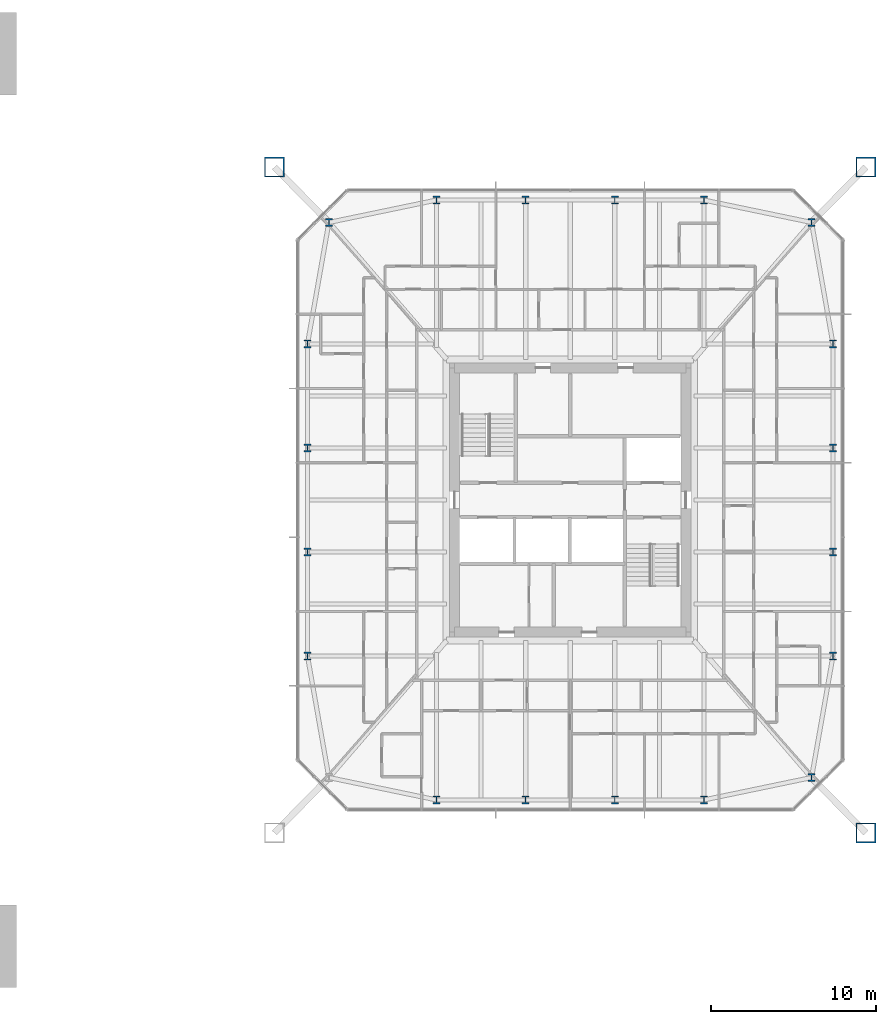
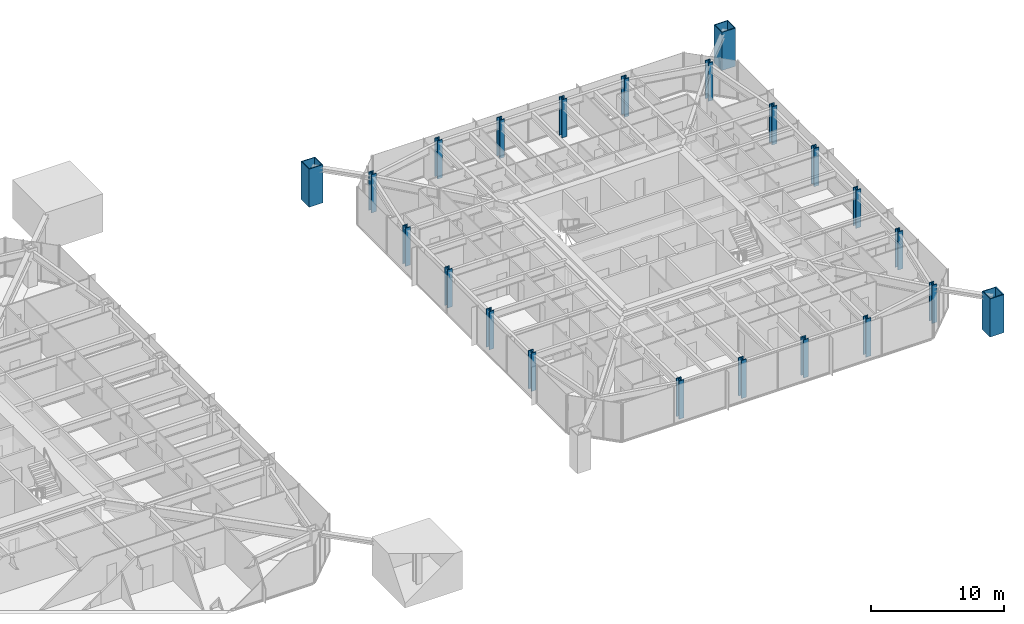
# One storey, part 2 of 26: 22 columns.
"""IFC4 building model written with IfcOpenShell, lengths in metres."""

import ifcopenshell
import ifcopenshell.guid

model = None  # the IFC model being written
_history = None  # IfcOwnerHistory: only IFC2X3 demands one
_inside = {}  # id of a spatial element -> (the spatial element, [elements in it])
_under = {}  # id of a project, library or spatial element -> (it, [spatial elements below it])
_declared = {}  # id of a project -> (the project, [libraries it declares])
_typed = {}  # id of a type object -> (the type object, [elements of that type])
_made_of = {}  # id of a material, layer set ... -> (it, [elements and type objects made of it])


def new_model(schema):
    """Start an empty IFC model of exactly this schema.

    Asked for "IFC4X3", IfcOpenShell would pick the latest addendum, in which some entities
    have other attributes; the version numbers below select the first issue.
    IFC2X3 requires an IfcOwnerHistory on every rooted entity: one is made here for all.
    """
    global model, _history
    if schema == "IFC4X3":
        model = ifcopenshell.file(schema_version=(4, 3, 0, 0))
    else:
        model = ifcopenshell.file(schema=schema)
    _inside.clear()
    _under.clear()
    _declared.clear()
    _typed.clear()
    _made_of.clear()
    _history = None
    if model.schema == "IFC2X3":
        org = make("IfcOrganization", Name="unknown")
        user = make(
            "IfcPersonAndOrganization",
            ThePerson=make("IfcPerson", FamilyName="unknown"),
            TheOrganization=org,
        )
        app = make(
            "IfcApplication",
            ApplicationDeveloper=org,
            Version="unknown",
            ApplicationFullName="unknown",
            ApplicationIdentifier="unknown",
        )
        _history = make(
            "IfcOwnerHistory",
            OwningUser=user,
            OwningApplication=app,
            ChangeAction="ADDED",
            CreationDate=0,
        )
    return model


def make(cls, **values):
    """One entity of the class cls with the attributes given. An attribute that is None is left unset."""
    return model.create_entity(
        cls, **{name: value for name, value in values.items() if value is not None}
    )


def rooted(cls, **values):
    """An entity with a GlobalId (a new one), such as an element, a storey or a relation."""
    return make(cls, GlobalId=ifcopenshell.guid.new(), OwnerHistory=_history, **values)


def si_unit(unit_type, name, prefix=None):
    """IfcSIUnit, for example si_unit("LENGTHUNIT", "METRE", prefix="MILLI")."""
    return make("IfcSIUnit", UnitType=unit_type, Prefix=prefix, Name=name)


def assignment(units):
    """IfcUnitAssignment: the units of a project."""
    return None if units is None else make("IfcUnitAssignment", Units=units)


def point(xyz):
    """IfcCartesianPoint."""
    return None if xyz is None else make("IfcCartesianPoint", Coordinates=xyz)


def direction(xyz):
    """IfcDirection."""
    return None if xyz is None else make("IfcDirection", DirectionRatios=xyz)


def frame(location, z_axis=None, x_axis=None):
    """IfcAxis2Placement3D, a coordinate frame: its origin and axes. An axis left out is left unset."""
    return make(
        "IfcAxis2Placement3D",
        Location=point(location),
        Axis=direction(z_axis),
        RefDirection=direction(x_axis),
    )


def frame_2d(location, x_axis=None):
    """IfcAxis2Placement2D, a coordinate frame in the plane: its origin and x axis."""
    return make(
        "IfcAxis2Placement2D", Location=point(location), RefDirection=direction(x_axis)
    )


def origin():
    """The frame at (0, 0, 0) with its axes left unset."""
    return frame((0.0, 0.0, 0.0))


def origin_2d():
    """The frame at (0, 0) in the plane with its x axis left unset."""
    return frame_2d((0.0, 0.0))


def place(relative_to, where):
    """IfcLocalPlacement: puts the frame where relative to a parent placement (None: the world)."""
    return make(
        "IfcLocalPlacement", PlacementRelTo=relative_to, RelativePlacement=where
    )


def context(
    kind, dimensions, precision=None, world=None, true_north=None, identifier=None
):
    """IfcGeometricRepresentationContext, for example the 3D "Model" context."""
    return make(
        "IfcGeometricRepresentationContext",
        ContextIdentifier=identifier,
        ContextType=kind,
        CoordinateSpaceDimension=dimensions,
        Precision=precision,
        WorldCoordinateSystem=world,
        TrueNorth=true_north,
    )


def subcontext(parent, identifier, kind, view, scale=None):
    """IfcGeometricRepresentationSubContext, for example "Body" below "Model"."""
    return make(
        "IfcGeometricRepresentationSubContext",
        ContextIdentifier=identifier,
        ContextType=kind,
        ParentContext=parent,
        TargetScale=scale,
        TargetView=view,
    )


def project(units=None, contexts=None):
    """IfcProject with its units and contexts."""
    return rooted(
        "IfcProject",
        Name="project",
        RepresentationContexts=contexts,
        UnitsInContext=assignment(units),
    )


def spatial(cls, under=None, at=None, **own):
    """A site, building, storey or space (cls), placed at a placement, below another one or the project."""
    s = rooted(cls, ObjectPlacement=at, **own)
    if under is not None:
        _under.setdefault(under.id(), (under, []))[1].append(s)
    return s


def profile(cls, at=None, kind="AREA", **sizes):
    """A parametric profile (cls). Its sizes go by their IFC names, for example OverallWidth=200.0."""
    return make(cls, ProfileType=kind, Position=at, **sizes)


def hollow_rectangle(**sizes):
    """IfcRectangleHollowProfileDef."""
    return profile("IfcRectangleHollowProfileDef", **sizes)


def i_section(**sizes):
    """IfcIShapeProfileDef."""
    return profile("IfcIShapeProfileDef", **sizes)


def extrude(swept, where, along, depth):
    """IfcExtrudedAreaSolid: the profile swept, set in the frame where, extruded along a direction by depth."""
    return make(
        "IfcExtrudedAreaSolid",
        SweptArea=swept,
        Position=where,
        ExtrudedDirection=direction(along),
        Depth=depth,
    )


def shape(context_of_items, identifier, shape_type, items):
    """IfcShapeRepresentation: the items that make up one representation, for example the "Body"."""
    return make(
        "IfcShapeRepresentation",
        ContextOfItems=context_of_items,
        RepresentationIdentifier=identifier,
        RepresentationType=shape_type,
        Items=items,
    )


def material(Name=None, Category=None):
    """IfcMaterial."""
    return make("IfcMaterial", Name=Name, Category=Category)


def material_profile(
    of_material, cross_section, Name=None, Category=None, Priority=None
):
    """IfcMaterialProfile: a cross section and its material."""
    return make(
        "IfcMaterialProfile",
        Name=Name,
        Material=of_material,
        Profile=cross_section,
        Priority=Priority,
        Category=Category,
    )


def profile_set(profiles, Name=None, composite=None):
    """IfcMaterialProfileSet."""
    return make(
        "IfcMaterialProfileSet",
        Name=Name,
        MaterialProfiles=profiles,
        CompositeProfile=composite,
    )


def made_of(thing, what):
    """Note that an element or type object is made of a material, layer set ...; save() writes the relation."""
    if what is not None:
        _made_of.setdefault(what.id(), (what, []))[1].append(thing)
    return thing


def type_object(cls, material=None, **own):
    """A type object (cls), such as IfcWallType, which elements share."""
    return made_of(rooted(cls, **own), material)


def element(
    cls,
    number,
    at=None,
    inside=None,
    cuts=None,
    type_object=None,
    material=None,
    context=None,
    identifier="Body",
    shape_type=None,
    held_by="IfcProductDefinitionShape",
    body=None,
    shapes=None,
    **own,
):
    """One element of the class cls, such as IfcWall. Its Tag is "e" and its number.

    at: its placement. inside: the storey or other place that contains it. cuts: it is an
    opening in that element (IfcRelVoidsElement). A single representation is given by context,
    identifier, shape_type and body (its items); several are given by shapes. held_by: the class
    of the entity that holds the representations. save() writes the other relations.
    """
    e = rooted(cls, Tag="e%d" % number, ObjectPlacement=at, **own)
    if body is not None:
        shapes = [shape(context, identifier, shape_type, body)]
    if shapes is not None:
        e.Representation = make(held_by, Representations=shapes)
    if inside is not None:
        _inside.setdefault(inside.id(), (inside, []))[1].append(e)
    if cuts is not None:
        rooted(
            "IfcRelVoidsElement", RelatingBuildingElement=cuts, RelatedOpeningElement=e
        )
    if type_object is not None:
        _typed.setdefault(type_object.id(), (type_object, []))[1].append(e)
    return made_of(e, material)


def aggregate(whole, parts):
    """IfcRelAggregates: a whole, such as a stair, and the parts it consists of."""
    return rooted("IfcRelAggregates", RelatingObject=whole, RelatedObjects=parts)


def save(model, path):
    """Write the relations noted so far, then the file.

    IfcRelAggregates (storeys below a building ...), IfcRelContainedInSpatialStructure (elements
    in a storey), IfcRelDefinesByType, IfcRelAssociatesMaterial and IfcRelDeclares: one each for
    every whole, place, type object, material and project.
    """
    for whole, parts in _under.values():
        aggregate(whole, parts)
    for where, things in _inside.values():
        rooted(
            "IfcRelContainedInSpatialStructure",
            RelatedElements=things,
            RelatingStructure=where,
        )
    for kind, things in _typed.values():
        rooted("IfcRelDefinesByType", RelatedObjects=things, RelatingType=kind)
    for what, things in _made_of.values():
        rooted("IfcRelAssociatesMaterial", RelatedObjects=things, RelatingMaterial=what)
    for by, libraries in _declared.values():
        rooted("IfcRelDeclares", RelatingContext=by, RelatedDefinitions=libraries)
    model.write(path)


model = new_model("IFC4")

# Units and contexts
model_context = context("Model", 3, precision=1e-05, world=origin(), true_north=direction((0.0, 1.0)))
body_context = subcontext(model_context, "Body", "Model", "MODEL_VIEW")
ifc_project = project(units=[si_unit("LENGTHUNIT", "METRE"), si_unit("AREAUNIT", "SQUARE_METRE"), si_unit("VOLUMEUNIT", "CUBIC_METRE"), si_unit("PLANEANGLEUNIT", "RADIAN"), si_unit("MASSUNIT", "GRAM", prefix="KILO")], contexts=[model_context])

# Site, building, storey
site_placement = place(None, origin())
site = spatial("IfcSite", under=ifc_project, at=site_placement, CompositionType="ELEMENT")
building_placement = place(site_placement, origin())
building = spatial("IfcBuilding", under=site, at=building_placement, Name="Iwan Alto Co-Living Towers", CompositionType="ELEMENT")
storey_placement = place(building_placement, frame((0.0, 0.0, 18.5)))
storey = spatial("IfcBuildingStorey", under=building, at=storey_placement, Name="L04", CompositionType="ELEMENT", Elevation=18.5)

# Columns
ifc_material_1 = material(Name="Steel ASTM A572 Gr 50", Category="steel")
ifc_material_profile_1 = material_profile(ifc_material_1, hollow_rectangle(XDim=1.199951171875, YDim=1.199951171875, WallThickness=0.070068359375, at=origin_2d()), Name="BOX 1200X1200X70")
ifc_profile_set_1 = profile_set([ifc_material_profile_1], Name="Steel ASTM A572 Gr 50")
column_type_1 = type_object("IfcColumnType", Name="T2 MEGA COLUMN BOX 1200X1200X70", PredefinedType="COLUMN", material=ifc_profile_set_1)
for number, where, z_axis, x_axis, name in (
    (1, (80.89990234375, -20.14990234375, 0.0), (0.0, 0.0, 1.0), (1.0, 0.0, 0.0), "T2 mega column SE L04"),
    (2, (80.89990234375, 20.14990234375, 0.0), (0.0, 0.0, 1.0), (1.0, 0.0, 0.0), "T2 mega column NE L04"),
    (3, (45.10009765625, 20.14990234375, 0.0), (0.0, 0.0, 1.0), (1.0, 0.0, 0.0), "T2 mega column NW L04"),
):
    element("IfcColumn", number, at=place(storey_placement, frame(where, z_axis=z_axis, x_axis=x_axis)), inside=storey, type_object=column_type_1, Name=name, PredefinedType="COLUMN", context=body_context, shape_type="SweptSolid", body=[
        extrude(hollow_rectangle(XDim=1.199951171875, YDim=1.199951171875, WallThickness=0.070068359375, at=origin_2d()), origin(), (0.0, 0.0, 1.0), 3.5),
    ])
ifc_material_2 = material(Name="Steel ASTM A992 Gr 50", Category="steel")
ifc_material_profile_2 = material_profile(ifc_material_2, i_section(OverallWidth=0.424072265625, OverallDepth=0.47509765625, WebThickness=0.0478515625, FlangeThickness=0.0771484375, at=origin_2d()), Name="W14X426")
ifc_profile_set_2 = profile_set([ifc_material_profile_2], Name="Steel ASTM A992 Gr 50")
column_type_2 = type_object("IfcColumnType", Name="T2 RING COLUMN W14X426", PredefinedType="COLUMN", material=ifc_profile_set_2)
for number, where, z_axis, x_axis, name in (
    (4, (54.89990234375, -18.14990234375, 0.0), (0.0, 0.0, 1.0), (1.0, 0.0, 0.0), "T2 ring column S1 L04"),
    (5, (60.300048828125, -18.14990234375, 0.0), (0.0, 0.0, 1.0), (1.0, 0.0, 0.0), "T2 ring column S2 L04"),
    (6, (65.699951171875, -18.14990234375, 0.0), (0.0, 0.0, 1.0), (1.0, 0.0, 0.0), "T2 ring column S3 L04"),
    (7, (71.10009765625, -18.14990234375, 0.0), (0.0, 0.0, 1.0), (1.0, 0.0, 0.0), "T2 ring column S4 L04"),
    (8, (77.606201171875, -16.797119140625, 0.0), (0.0, 0.0, 1.0), (1.0, 0.0, 0.0), "T2 ring column CSE L04"),
    (9, (78.89990234375, -9.449951171875, 0.0), (0.0, 0.0, 1.0), (1.0, 0.0, 0.0), "T2 ring column E1 L04"),
    (10, (78.89990234375, -3.14990234375, 0.0), (0.0, 0.0, 1.0), (1.0, 0.0, 0.0), "T2 ring column E2 L04"),
    (11, (78.89990234375, 3.14990234375, 0.0), (0.0, 0.0, 1.0), (1.0, 0.0, 0.0), "T2 ring column E3 L04"),
    (12, (78.89990234375, 9.449951171875, 0.0), (0.0, 0.0, 1.0), (1.0, 0.0, 0.0), "T2 ring column E4 L04"),
    (13, (77.606201171875, 16.797119140625, 0.0), (0.0, 0.0, 1.0), (1.0, 0.0, 0.0), "T2 ring column CNE L04"),
    (14, (71.10009765625, 18.14990234375, 0.0), (0.0, 0.0, 1.0), (1.0, 0.0, 0.0), "T2 ring column N1 L04"),
    (15, (65.699951171875, 18.14990234375, 0.0), (0.0, 0.0, 1.0), (1.0, 0.0, 0.0), "T2 ring column N2 L04"),
    (16, (60.300048828125, 18.14990234375, 0.0), (0.0, 0.0, 1.0), (1.0, 0.0, 0.0), "T2 ring column N3 L04"),
    (17, (54.89990234375, 18.14990234375, 0.0), (0.0, 0.0, 1.0), (1.0, 0.0, 0.0), "T2 ring column N4 L04"),
    (18, (48.393798828125, 16.797119140625, 0.0), (0.0, 0.0, 1.0), (1.0, 0.0, 0.0), "T2 ring column CNW L04"),
    (19, (47.10009765625, 9.449951171875, 0.0), (0.0, 0.0, 1.0), (1.0, 0.0, 0.0), "T2 ring column W1 L04"),
    (20, (47.10009765625, 3.14990234375, 0.0), (0.0, 0.0, 1.0), (1.0, 0.0, 0.0), "T2 ring column W2 L04"),
    (21, (47.10009765625, -3.14990234375, 0.0), (0.0, 0.0, 1.0), (1.0, 0.0, 0.0), "T2 ring column W3 L04"),
    (22, (47.10009765625, -9.449951171875, 0.0), (0.0, 0.0, 1.0), (1.0, 0.0, 0.0), "T2 ring column W4 L04"),
):
    element("IfcColumn", number, at=place(storey_placement, frame(where, z_axis=z_axis, x_axis=x_axis)), inside=storey, type_object=column_type_2, Name=name, PredefinedType="COLUMN", context=body_context, shape_type="SweptSolid", body=[
        extrude(i_section(OverallWidth=0.424072265625, OverallDepth=0.47509765625, WebThickness=0.0478515625, FlangeThickness=0.0771484375, at=origin_2d()), origin(), (0.0, 0.0, 1.0), 3.5),
    ])

save(model, "model.ifc")
